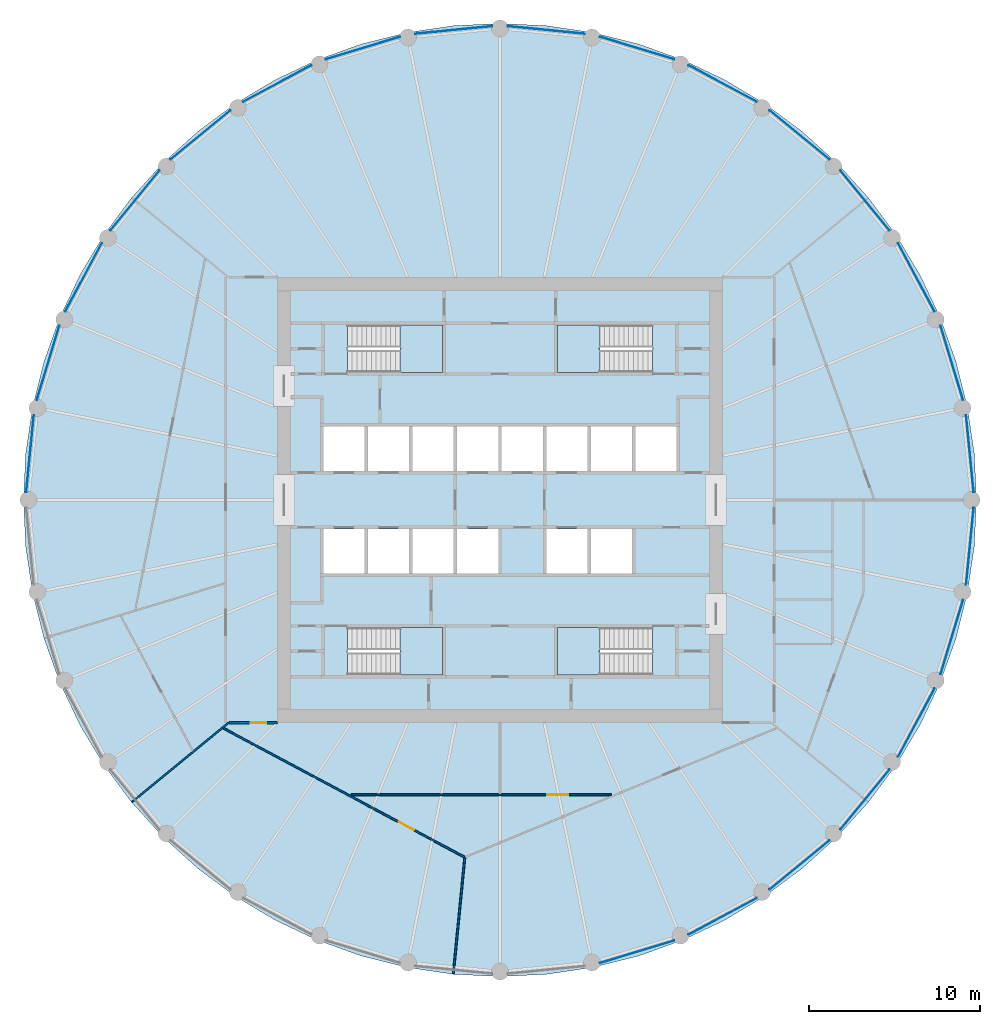
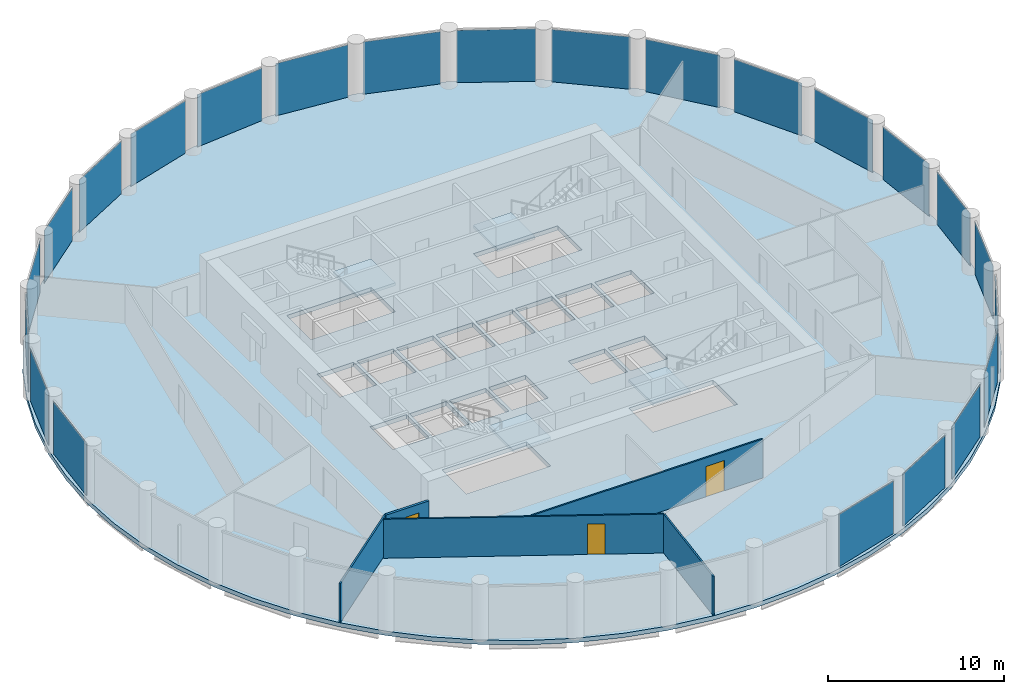
# One storey, part 3 of 8: 23 plates, 5 slabs, 5 walls, 3 doors, 3 openings, 27 elements without a shape of their own.
"""IFC4 building model written with IfcOpenShell, lengths in metres."""

from ifc_helpers import new_model, si_unit, direction, frame, frame_2d, origin, origin_2d, place, context, subcontext, project, spatial, polyline, rectangle, outline, extrude, material, layer, layer_set, type_object, element, fill, aggregate, save


model = new_model("IFC4")

# Units and contexts
model_context = context("Model", 3, precision=1e-05, world=origin(), true_north=direction((0.0, 1.0)))
body_context = subcontext(model_context, "Body", "Model", "MODEL_VIEW")
ifc_project = project(units=[si_unit("LENGTHUNIT", "METRE"), si_unit("AREAUNIT", "SQUARE_METRE"), si_unit("VOLUMEUNIT", "CUBIC_METRE"), si_unit("PLANEANGLEUNIT", "RADIAN"), si_unit("MASSUNIT", "GRAM", prefix="KILO")], contexts=[model_context])

# Site, building, storey
site_placement = place(None, origin())
site = spatial("IfcSite", under=ifc_project, at=site_placement, CompositionType="ELEMENT")
building_placement = place(site_placement, origin())
building = spatial("IfcBuilding", under=site, at=building_placement, Name="Corvane Civic Tower", CompositionType="ELEMENT")
storey_placement = place(building_placement, frame((0.0, 0.0, 209.5)))
storey = spatial("IfcBuildingStorey", under=building, at=storey_placement, Name="L49", CompositionType="ELEMENT", Elevation=209.5)

# Slab
ifc_material_1 = material(Name="Concrete C40/50", Category="concrete")
ifc_layer_1 = layer(ifc_material_1, 0.300048828125)
ifc_layer_set_1 = layer_set([ifc_layer_1], Name="Concrete C40/50")
slab_type_1 = type_object("IfcSlabType", Name="FLOOR SLAB 300", PredefinedType="FLOOR", material=ifc_layer_set_1)
slab_1_placement = place(storey_placement, frame((0.0, 0.0, -0.300048828125)))
element("IfcSlab", 1, at=slab_1_placement, inside=storey, type_object=slab_type_1, Name="SLB-L49", PredefinedType="FLOOR", context=body_context, shape_type="SweptSolid", body=[
    extrude(outline(polyline([(0.0, 27.800048828125), (-2.724853515625, 27.666015625), (-5.423583984375, 27.265869140625), (-8.06982421875, 26.60302734375), (-10.638671875, 25.683837890625), (-13.104736328125, 24.517333984375), (-15.44482421875, 23.11474609375), (-17.63623046875, 21.48974609375), (-19.657470703125, 19.657470703125), (-21.48974609375, 17.63623046875), (-23.11474609375, 15.44482421875), (-24.517333984375, 13.104736328125), (-25.683837890625, 10.638671875), (-26.60302734375, 8.06982421875), (-27.265869140625, 5.423583984375), (-27.666015625, 2.724853515625), (-27.800048828125, 0.0), (-27.666015625, -2.724853515625), (-27.265869140625, -5.423583984375), (-26.60302734375, -8.06982421875), (-25.683837890625, -10.638671875), (-24.517333984375, -13.104736328125), (-23.11474609375, -15.44482421875), (-21.48974609375, -17.63623046875), (-19.657470703125, -19.657470703125), (-17.63623046875, -21.48974609375), (-15.44482421875, -23.11474609375), (-13.104736328125, -24.517333984375), (-10.638671875, -25.683837890625), (-8.06982421875, -26.60302734375), (-5.423583984375, -27.265869140625), (-2.724853515625, -27.666015625), (0.0, -27.800048828125), (2.724853515625, -27.666015625), (5.423583984375, -27.265869140625), (8.06982421875, -26.60302734375), (10.638671875, -25.683837890625), (13.104736328125, -24.517333984375), (15.44482421875, -23.11474609375), (17.63623046875, -21.48974609375), (19.657470703125, -19.657470703125), (21.48974609375, -17.63623046875), (23.11474609375, -15.44482421875), (24.517333984375, -13.104736328125), (25.683837890625, -10.638671875), (26.60302734375, -8.06982421875), (27.265869140625, -5.423583984375), (27.666015625, -2.724853515625), (27.800048828125, 0.0), (27.666015625, 2.724853515625), (27.265869140625, 5.423583984375), (26.60302734375, 8.06982421875), (25.683837890625, 10.638671875), (24.517333984375, 13.104736328125), (23.11474609375, 15.44482421875), (21.48974609375, 17.63623046875), (19.657470703125, 19.657470703125), (17.63623046875, 21.48974609375), (15.44482421875, 23.11474609375), (13.104736328125, 24.517333984375), (10.638671875, 25.683837890625), (8.06982421875, 26.60302734375), (5.423583984375, 27.265869140625), (2.724853515625, 27.666015625), (0.0, 27.800048828125)]), holes=[polyline([(-10.300048828125, 4.300048828125), (-7.89990234375, 4.300048828125), (-7.89990234375, 1.699951171875), (-10.300048828125, 1.699951171875), (-10.300048828125, 4.300048828125)]), polyline([(-5.300048828125, 1.699951171875), (-7.699951171875, 1.699951171875), (-7.699951171875, 4.300048828125), (-5.300048828125, 4.300048828125), (-5.300048828125, 1.699951171875)]), polyline([(-5.10009765625, 4.300048828125), (-2.699951171875, 4.300048828125), (-2.699951171875, 1.699951171875), (-5.10009765625, 1.699951171875), (-5.10009765625, 4.300048828125)]), polyline([(-0.10009765625, 4.300048828125), (-0.10009765625, 1.699951171875), (-2.5, 1.699951171875), (-2.5, 4.300048828125), (-0.10009765625, 4.300048828125)]), polyline([(2.5, 4.300048828125), (2.5, 1.699951171875), (0.10009765625, 1.699951171875), (0.10009765625, 4.300048828125), (2.5, 4.300048828125)]), polyline([(2.699951171875, 4.300048828125), (5.10009765625, 4.300048828125), (5.10009765625, 1.699951171875), (2.699951171875, 1.699951171875), (2.699951171875, 4.300048828125)]), polyline([(5.300048828125, 4.300048828125), (7.699951171875, 4.300048828125), (7.699951171875, 1.699951171875), (5.300048828125, 1.699951171875), (5.300048828125, 4.300048828125)]), polyline([(7.89990234375, 4.300048828125), (10.300048828125, 4.300048828125), (10.300048828125, 1.699951171875), (7.89990234375, 1.699951171875), (7.89990234375, 4.300048828125)]), polyline([(-7.89990234375, -1.699951171875), (-7.89990234375, -4.300048828125), (-10.300048828125, -4.300048828125), (-10.300048828125, -1.699951171875), (-7.89990234375, -1.699951171875)]), polyline([(-5.300048828125, -1.699951171875), (-5.300048828125, -4.300048828125), (-7.699951171875, -4.300048828125), (-7.699951171875, -1.699951171875), (-5.300048828125, -1.699951171875)]), polyline([(-5.10009765625, -4.300048828125), (-5.10009765625, -1.699951171875), (-2.699951171875, -1.699951171875), (-2.699951171875, -4.300048828125), (-5.10009765625, -4.300048828125)]), polyline([(-2.5, -1.699951171875), (-0.10009765625, -1.699951171875), (-0.10009765625, -4.300048828125), (-2.5, -4.300048828125), (-2.5, -1.699951171875)]), polyline([(5.10009765625, -1.699951171875), (5.10009765625, -4.300048828125), (2.699951171875, -4.300048828125), (2.699951171875, -1.699951171875), (5.10009765625, -1.699951171875)]), polyline([(7.699951171875, -1.699951171875), (7.699951171875, -4.300048828125), (5.300048828125, -4.300048828125), (5.300048828125, -1.699951171875), (7.699951171875, -1.699951171875)]), polyline([(8.889892578125, 10.199951171875), (8.889892578125, 7.449951171875), (3.35009765625, 7.449951171875), (3.35009765625, 10.199951171875), (8.889892578125, 10.199951171875)]), polyline([(-8.889892578125, 7.449951171875), (-8.889892578125, 10.199951171875), (-3.35009765625, 10.199951171875), (-3.35009765625, 7.449951171875), (-8.889892578125, 7.449951171875)]), polyline([(8.889892578125, -7.449951171875), (8.889892578125, -10.199951171875), (3.35009765625, -10.199951171875), (3.35009765625, -7.449951171875), (8.889892578125, -7.449951171875)]), polyline([(-8.889892578125, -10.199951171875), (-8.889892578125, -7.449951171875), (-3.35009765625, -7.449951171875), (-3.35009765625, -10.199951171875), (-8.889892578125, -10.199951171875)])]), origin(), (0.0, 0.0, 1.0), 0.300048828125),
])

# Stair, slab
ifc_material_2 = material(Name="Concrete C40/50", Category="concrete")
stair_type = type_object("IfcStairType", Name="ST-STAIR-HALFTURN", PredefinedType="HALF_TURN_STAIR", material=ifc_material_2)
stair_1_placement = place(storey_placement, origin())
stair_1 = element("IfcStair", 2, at=stair_1_placement, inside=storey, type_object=stair_type, Name="L49 Exit stair ST1", PredefinedType="HALF_TURN_STAIR")
ifc_material_3 = material(Name="Concrete C40/50", Category="concrete")
ifc_layer_2 = layer(ifc_material_3, 0.199951171875)
ifc_layer_set_2 = layer_set([ifc_layer_2], Name="Concrete C40/50")
slab_type_2 = type_object("IfcSlabType", Name="ST-LANDING-RC", PredefinedType="LANDING", material=ifc_layer_set_2)
slab_2_placement = place(storey_placement, frame((0.0, 0.0, 1.800048828125)))
slab_2 = element("IfcSlab", 3, at=slab_2_placement, type_object=slab_type_2, Name="ST1 landing 1", PredefinedType="LANDING", context=body_context, shape_type="SweptSolid", body=[
    extrude(outline(polyline([(5.820068359375, 10.199951171875), (3.35009765625, 10.199951171875), (3.35009765625, 7.449951171875), (5.820068359375, 7.449951171875), (5.820068359375, 10.199951171875)])), origin(), (0.0, 0.0, 1.0), 0.199951171875),
])
aggregate(stair_1, [slab_2])

stair_2_placement = place(storey_placement, origin())
stair_2 = element("IfcStair", 4, at=stair_2_placement, inside=storey, type_object=stair_type, Name="L49 Exit stair ST2", PredefinedType="HALF_TURN_STAIR")
slab_3_placement = place(storey_placement, frame((0.0, 0.0, 1.800048828125)))
slab_3 = element("IfcSlab", 5, at=slab_3_placement, type_object=slab_type_2, Name="ST2 landing 1", PredefinedType="LANDING", context=body_context, shape_type="SweptSolid", body=[
    extrude(outline(polyline([(5.820068359375, -7.449951171875), (3.35009765625, -7.449951171875), (3.35009765625, -10.199951171875), (5.820068359375, -10.199951171875), (5.820068359375, -7.449951171875)])), origin(), (0.0, 0.0, 1.0), 0.199951171875),
])
aggregate(stair_2, [slab_3])

stair_3_placement = place(storey_placement, origin())
stair_3 = element("IfcStair", 6, at=stair_3_placement, inside=storey, type_object=stair_type, Name="L49 Exit stair ST3", PredefinedType="HALF_TURN_STAIR")
slab_4_placement = place(storey_placement, frame((0.0, 0.0, 1.800048828125)))
slab_4 = element("IfcSlab", 7, at=slab_4_placement, type_object=slab_type_2, Name="ST3 landing 1", PredefinedType="LANDING", context=body_context, shape_type="SweptSolid", body=[
    extrude(outline(polyline([(-5.820068359375, -10.199951171875), (-3.35009765625, -10.199951171875), (-3.35009765625, -7.449951171875), (-5.820068359375, -7.449951171875), (-5.820068359375, -10.199951171875)])), origin(), (0.0, 0.0, 1.0), 0.199951171875),
])
aggregate(stair_3, [slab_4])

stair_4_placement = place(storey_placement, origin())
stair_4 = element("IfcStair", 8, at=stair_4_placement, inside=storey, type_object=stair_type, Name="L49 Exit stair ST4", PredefinedType="HALF_TURN_STAIR")
slab_5_placement = place(storey_placement, frame((0.0, 0.0, 1.800048828125)))
slab_5 = element("IfcSlab", 9, at=slab_5_placement, type_object=slab_type_2, Name="ST4 landing 1", PredefinedType="LANDING", context=body_context, shape_type="SweptSolid", body=[
    extrude(outline(polyline([(-5.820068359375, 7.449951171875), (-3.35009765625, 7.449951171875), (-3.35009765625, 10.199951171875), (-5.820068359375, 10.199951171875), (-5.820068359375, 7.449951171875)])), origin(), (0.0, 0.0, 1.0), 0.199951171875),
])
aggregate(stair_4, [slab_5])

# Curtain wall, plate
ifc_material_4 = material(Name="Anodised aluminium bronze", Category="aluminium")
curtain_wall_type = type_object("IfcCurtainWallType", Name="TOWER CW-T2 STICK CURTAIN WALL", PredefinedType="NOTDEFINED", material=ifc_material_4)
curtain_wall_1_placement = place(storey_placement, origin())
curtain_wall_1 = element("IfcCurtainWall", 10, at=curtain_wall_1_placement, inside=storey, type_object=curtain_wall_type, Name="Curtain wall CW-T2 L49 bay 01", PredefinedType="NOTDEFINED")
ifc_material_5 = material(Name="Tinted glass", Category="glass")
ifc_layer_3 = layer(ifc_material_5, 0.031982421875)
ifc_layer_set_3 = layer_set([ifc_layer_3], Name="Tinted glass")
plate_type = type_object("IfcPlateType", Name="TOWER CW-T2 PANEL IGU32", PredefinedType="CURTAIN_PANEL", material=ifc_layer_set_3)
plate_1_placement = place(storey_placement, frame((2.699951171875, 27.4140625, 0.0), z_axis=(0.0, 0.0, 1.0), x_axis=(0.995187058378, -0.097993463235, 0.0)))
plate_1 = element("IfcPlate", 11, at=plate_1_placement, type_object=plate_type, Name="Glass panel CW-T2 L49 01.1", PredefinedType="CURTAIN_PANEL", context=body_context, shape_type="SweptSolid", body=[
    extrude(rectangle(XDim=4.517333984375, YDim=0.031982421875, at=origin_2d()), origin(), (0.0, 0.0, 1.0), 3.6298828125),
])
aggregate(curtain_wall_1, [plate_1])

curtain_wall_2_placement = place(storey_placement, origin())
curtain_wall_2 = element("IfcCurtainWall", 12, at=curtain_wall_2_placement, inside=storey, type_object=curtain_wall_type, Name="Curtain wall CW-T2 L49 bay 02", PredefinedType="NOTDEFINED")
plate_2_placement = place(storey_placement, frame((7.996337890625, 26.360595703125, 0.0), z_axis=(0.0, 0.0, 1.0), x_axis=(0.956938843612, -0.290289596069, 0.0)))
plate_2 = element("IfcPlate", 13, at=plate_2_placement, type_object=plate_type, Name="Glass panel CW-T2 L49 02.1", PredefinedType="CURTAIN_PANEL", context=body_context, shape_type="SweptSolid", body=[
    extrude(rectangle(XDim=4.517333984375, YDim=0.031982421875, at=origin_2d()), origin(), (0.0, 0.0, 1.0), 3.6298828125),
])
aggregate(curtain_wall_2, [plate_2])

curtain_wall_3_placement = place(storey_placement, origin())
curtain_wall_3 = element("IfcCurtainWall", 14, at=curtain_wall_3_placement, inside=storey, type_object=curtain_wall_type, Name="Curtain wall CW-T2 L49 bay 03", PredefinedType="NOTDEFINED")
plate_3_placement = place(storey_placement, frame((12.9853515625, 24.294189453125, 0.0), z_axis=(0.0, 0.0, 1.0), x_axis=(0.881920381001, -0.471398389449, 0.0)))
plate_3 = element("IfcPlate", 15, at=plate_3_placement, type_object=plate_type, Name="Glass panel CW-T2 L49 03.1", PredefinedType="CURTAIN_PANEL", context=body_context, shape_type="SweptSolid", body=[
    extrude(rectangle(XDim=4.517333984375, YDim=0.031982421875, at=origin_2d()), origin(), (0.0, 0.0, 1.0), 3.6298828125),
])
aggregate(curtain_wall_3, [plate_3])

curtain_wall_4_placement = place(storey_placement, origin())
curtain_wall_4 = element("IfcCurtainWall", 16, at=curtain_wall_4_placement, inside=storey, type_object=curtain_wall_type, Name="Curtain wall CW-T2 L49 bay 04", PredefinedType="NOTDEFINED")
plate_4_placement = place(storey_placement, frame((17.475341796875, 21.2939453125, 0.0), z_axis=(0.0, 0.0, 1.0), x_axis=(0.773012269331, -0.634391071394, 0.0)))
plate_4 = element("IfcPlate", 17, at=plate_4_placement, type_object=plate_type, Name="Glass panel CW-T2 L49 04.1", PredefinedType="CURTAIN_PANEL", context=body_context, shape_type="SweptSolid", body=[
    extrude(rectangle(XDim=4.517333984375, YDim=0.031982421875, at=origin_2d()), origin(), (0.0, 0.0, 1.0), 3.6298828125),
])
aggregate(curtain_wall_4, [plate_4])

curtain_wall_5_placement = place(storey_placement, origin())
curtain_wall_5 = element("IfcCurtainWall", 18, at=curtain_wall_5_placement, inside=storey, type_object=curtain_wall_type, Name="Curtain wall CW-T2 L49 bay 05", PredefinedType="NOTDEFINED")
plate_5_placement = place(storey_placement, frame((21.2939453125, 17.475341796875, 0.0), z_axis=(0.0, 0.0, 1.0), x_axis=(0.634391071394, -0.773012269331, 0.0)))
plate_5 = element("IfcPlate", 19, at=plate_5_placement, type_object=plate_type, Name="Glass panel CW-T2 L49 05.1", PredefinedType="CURTAIN_PANEL", context=body_context, shape_type="SweptSolid", body=[
    extrude(rectangle(XDim=4.517333984375, YDim=0.031982421875, at=origin_2d()), origin(), (0.0, 0.0, 1.0), 3.6298828125),
])
aggregate(curtain_wall_5, [plate_5])

curtain_wall_6_placement = place(storey_placement, origin())
curtain_wall_6 = element("IfcCurtainWall", 20, at=curtain_wall_6_placement, inside=storey, type_object=curtain_wall_type, Name="Curtain wall CW-T2 L49 bay 06", PredefinedType="NOTDEFINED")
plate_6_placement = place(storey_placement, frame((24.294189453125, 12.9853515625, 0.0), z_axis=(0.0, 0.0, 1.0), x_axis=(0.471398389449, -0.881920381001, 0.0)))
plate_6 = element("IfcPlate", 21, at=plate_6_placement, type_object=plate_type, Name="Glass panel CW-T2 L49 06.1", PredefinedType="CURTAIN_PANEL", context=body_context, shape_type="SweptSolid", body=[
    extrude(rectangle(XDim=4.517333984375, YDim=0.031982421875, at=origin_2d()), origin(), (0.0, 0.0, 1.0), 3.6298828125),
])
aggregate(curtain_wall_6, [plate_6])

curtain_wall_7_placement = place(storey_placement, origin())
curtain_wall_7 = element("IfcCurtainWall", 22, at=curtain_wall_7_placement, inside=storey, type_object=curtain_wall_type, Name="Curtain wall CW-T2 L49 bay 07", PredefinedType="NOTDEFINED")
plate_7_placement = place(storey_placement, frame((26.360595703125, 7.996337890625, 0.0), z_axis=(0.0, 0.0, 1.0), x_axis=(0.290289596069, -0.956938843612, 0.0)))
plate_7 = element("IfcPlate", 23, at=plate_7_placement, type_object=plate_type, Name="Glass panel CW-T2 L49 07.1", PredefinedType="CURTAIN_PANEL", context=body_context, shape_type="SweptSolid", body=[
    extrude(rectangle(XDim=4.517333984375, YDim=0.031982421875, at=origin_2d()), origin(), (0.0, 0.0, 1.0), 3.6298828125),
])
aggregate(curtain_wall_7, [plate_7])

curtain_wall_8_placement = place(storey_placement, origin())
curtain_wall_8 = element("IfcCurtainWall", 24, at=curtain_wall_8_placement, inside=storey, type_object=curtain_wall_type, Name="Curtain wall CW-T2 L49 bay 08", PredefinedType="NOTDEFINED")
plate_8_placement = place(storey_placement, frame((27.4140625, 2.699951171875, 0.0), z_axis=(0.0, 0.0, 1.0), x_axis=(0.097993463235, -0.995187058378, 0.0)))
plate_8 = element("IfcPlate", 25, at=plate_8_placement, type_object=plate_type, Name="Glass panel CW-T2 L49 08.1", PredefinedType="CURTAIN_PANEL", context=body_context, shape_type="SweptSolid", body=[
    extrude(rectangle(XDim=4.517333984375, YDim=0.031982421875, at=origin_2d()), origin(), (0.0, 0.0, 1.0), 3.6298828125),
])
aggregate(curtain_wall_8, [plate_8])

curtain_wall_9_placement = place(storey_placement, origin())
curtain_wall_9 = element("IfcCurtainWall", 26, at=curtain_wall_9_placement, inside=storey, type_object=curtain_wall_type, Name="Curtain wall CW-T2 L49 bay 09", PredefinedType="NOTDEFINED")
plate_9_placement = place(storey_placement, frame((27.4140625, -2.699951171875, 0.0), z_axis=(0.0, 0.0, 1.0), x_axis=(-0.097993463235, -0.995187058378, 0.0)))
plate_9 = element("IfcPlate", 27, at=plate_9_placement, type_object=plate_type, Name="Glass panel CW-T2 L49 09.1", PredefinedType="CURTAIN_PANEL", context=body_context, shape_type="SweptSolid", body=[
    extrude(rectangle(XDim=4.517333984375, YDim=0.031982421875, at=origin_2d()), origin(), (0.0, 0.0, 1.0), 3.6298828125),
])
aggregate(curtain_wall_9, [plate_9])

curtain_wall_10_placement = place(storey_placement, origin())
curtain_wall_10 = element("IfcCurtainWall", 28, at=curtain_wall_10_placement, inside=storey, type_object=curtain_wall_type, Name="Curtain wall CW-T2 L49 bay 10", PredefinedType="NOTDEFINED")
plate_10_placement = place(storey_placement, frame((26.360595703125, -7.996337890625, 0.0), z_axis=(0.0, 0.0, 1.0), x_axis=(-0.290289596069, -0.956938843612, 0.0)))
plate_10 = element("IfcPlate", 29, at=plate_10_placement, type_object=plate_type, Name="Glass panel CW-T2 L49 10.1", PredefinedType="CURTAIN_PANEL", context=body_context, shape_type="SweptSolid", body=[
    extrude(rectangle(XDim=4.517333984375, YDim=0.031982421875, at=origin_2d()), origin(), (0.0, 0.0, 1.0), 3.6298828125),
])
aggregate(curtain_wall_10, [plate_10])

curtain_wall_11_placement = place(storey_placement, origin())
curtain_wall_11 = element("IfcCurtainWall", 30, at=curtain_wall_11_placement, inside=storey, type_object=curtain_wall_type, Name="Curtain wall CW-T2 L49 bay 11", PredefinedType="NOTDEFINED")
plate_11_placement = place(storey_placement, frame((24.294189453125, -12.9853515625, 0.0), z_axis=(0.0, 0.0, 1.0), x_axis=(-0.471398389449, -0.881920381001, 0.0)))
plate_11 = element("IfcPlate", 31, at=plate_11_placement, type_object=plate_type, Name="Glass panel CW-T2 L49 11.1", PredefinedType="CURTAIN_PANEL", context=body_context, shape_type="SweptSolid", body=[
    extrude(rectangle(XDim=4.517333984375, YDim=0.031982421875, at=origin_2d()), origin(), (0.0, 0.0, 1.0), 3.6298828125),
])
aggregate(curtain_wall_11, [plate_11])

curtain_wall_12_placement = place(storey_placement, origin())
curtain_wall_12 = element("IfcCurtainWall", 32, at=curtain_wall_12_placement, inside=storey, type_object=curtain_wall_type, Name="Curtain wall CW-T2 L49 bay 12", PredefinedType="NOTDEFINED")
plate_12_placement = place(storey_placement, frame((21.2939453125, -17.475341796875, 0.0), z_axis=(0.0, 0.0, 1.0), x_axis=(-0.634391071394, -0.773012269331, 0.0)))
plate_12 = element("IfcPlate", 33, at=plate_12_placement, type_object=plate_type, Name="Glass panel CW-T2 L49 12.1", PredefinedType="CURTAIN_PANEL", context=body_context, shape_type="SweptSolid", body=[
    extrude(rectangle(XDim=4.517333984375, YDim=0.031982421875, at=origin_2d()), origin(), (0.0, 0.0, 1.0), 3.6298828125),
])
aggregate(curtain_wall_12, [plate_12])

curtain_wall_13_placement = place(storey_placement, origin())
curtain_wall_13 = element("IfcCurtainWall", 34, at=curtain_wall_13_placement, inside=storey, type_object=curtain_wall_type, Name="Curtain wall CW-T2 L49 bay 13", PredefinedType="NOTDEFINED")
plate_13_placement = place(storey_placement, frame((17.475341796875, -21.2939453125, 0.0), z_axis=(0.0, 0.0, 1.0), x_axis=(-0.773012269331, -0.634391071394, 0.0)))
plate_13 = element("IfcPlate", 35, at=plate_13_placement, type_object=plate_type, Name="Glass panel CW-T2 L49 13.1", PredefinedType="CURTAIN_PANEL", context=body_context, shape_type="SweptSolid", body=[
    extrude(rectangle(XDim=4.517333984375, YDim=0.031982421875, at=origin_2d()), origin(), (0.0, 0.0, 1.0), 3.6298828125),
])
aggregate(curtain_wall_13, [plate_13])

curtain_wall_14_placement = place(storey_placement, origin())
curtain_wall_14 = element("IfcCurtainWall", 36, at=curtain_wall_14_placement, inside=storey, type_object=curtain_wall_type, Name="Curtain wall CW-T2 L49 bay 14", PredefinedType="NOTDEFINED")
plate_14_placement = place(storey_placement, frame((12.9853515625, -24.294189453125, 0.0), z_axis=(0.0, 0.0, 1.0), x_axis=(-0.881920381001, -0.471398389449, 0.0)))
plate_14 = element("IfcPlate", 37, at=plate_14_placement, type_object=plate_type, Name="Glass panel CW-T2 L49 14.1", PredefinedType="CURTAIN_PANEL", context=body_context, shape_type="SweptSolid", body=[
    extrude(rectangle(XDim=4.517333984375, YDim=0.031982421875, at=origin_2d()), origin(), (0.0, 0.0, 1.0), 3.6298828125),
])
aggregate(curtain_wall_14, [plate_14])

curtain_wall_15_placement = place(storey_placement, origin())
curtain_wall_15 = element("IfcCurtainWall", 38, at=curtain_wall_15_placement, inside=storey, type_object=curtain_wall_type, Name="Curtain wall CW-T2 L49 bay 15", PredefinedType="NOTDEFINED")
plate_15_placement = place(storey_placement, frame((7.996337890625, -26.360595703125, 0.0), z_axis=(0.0, 0.0, 1.0), x_axis=(-0.956938843612, -0.290289596069, 0.0)))
plate_15 = element("IfcPlate", 39, at=plate_15_placement, type_object=plate_type, Name="Glass panel CW-T2 L49 15.1", PredefinedType="CURTAIN_PANEL", context=body_context, shape_type="SweptSolid", body=[
    extrude(rectangle(XDim=4.517333984375, YDim=0.031982421875, at=origin_2d()), origin(), (0.0, 0.0, 1.0), 3.6298828125),
])
aggregate(curtain_wall_15, [plate_15])

curtain_wall_16_placement = place(storey_placement, origin())
curtain_wall_16 = element("IfcCurtainWall", 40, at=curtain_wall_16_placement, inside=storey, type_object=curtain_wall_type, Name="Curtain wall CW-T2 L49 bay 25", PredefinedType="NOTDEFINED")
plate_16_placement = place(storey_placement, frame((-27.4140625, 2.699951171875, 0.0), z_axis=(0.0, 0.0, 1.0), x_axis=(0.097993463235, 0.995187058378, 0.0)))
plate_16 = element("IfcPlate", 41, at=plate_16_placement, type_object=plate_type, Name="Glass panel CW-T2 L49 25.1", PredefinedType="CURTAIN_PANEL", context=body_context, shape_type="SweptSolid", body=[
    extrude(rectangle(XDim=4.517333984375, YDim=0.031982421875, at=origin_2d()), origin(), (0.0, 0.0, 1.0), 3.6298828125),
])
aggregate(curtain_wall_16, [plate_16])

curtain_wall_17_placement = place(storey_placement, origin())
curtain_wall_17 = element("IfcCurtainWall", 42, at=curtain_wall_17_placement, inside=storey, type_object=curtain_wall_type, Name="Curtain wall CW-T2 L49 bay 26", PredefinedType="NOTDEFINED")
plate_17_placement = place(storey_placement, frame((-26.360595703125, 7.996337890625, 0.0), z_axis=(0.0, 0.0, 1.0), x_axis=(0.290289596069, 0.956938843612, 0.0)))
plate_17 = element("IfcPlate", 43, at=plate_17_placement, type_object=plate_type, Name="Glass panel CW-T2 L49 26.1", PredefinedType="CURTAIN_PANEL", context=body_context, shape_type="SweptSolid", body=[
    extrude(rectangle(XDim=4.517333984375, YDim=0.031982421875, at=origin_2d()), origin(), (0.0, 0.0, 1.0), 3.6298828125),
])
aggregate(curtain_wall_17, [plate_17])

curtain_wall_18_placement = place(storey_placement, origin())
curtain_wall_18 = element("IfcCurtainWall", 44, at=curtain_wall_18_placement, inside=storey, type_object=curtain_wall_type, Name="Curtain wall CW-T2 L49 bay 27", PredefinedType="NOTDEFINED")
plate_18_placement = place(storey_placement, frame((-24.294189453125, 12.9853515625, 0.0), z_axis=(0.0, 0.0, 1.0), x_axis=(0.471398389449, 0.881920381001, 0.0)))
plate_18 = element("IfcPlate", 45, at=plate_18_placement, type_object=plate_type, Name="Glass panel CW-T2 L49 27.1", PredefinedType="CURTAIN_PANEL", context=body_context, shape_type="SweptSolid", body=[
    extrude(rectangle(XDim=4.517333984375, YDim=0.031982421875, at=origin_2d()), origin(), (0.0, 0.0, 1.0), 3.6298828125),
])
aggregate(curtain_wall_18, [plate_18])

curtain_wall_19_placement = place(storey_placement, origin())
curtain_wall_19 = element("IfcCurtainWall", 46, at=curtain_wall_19_placement, inside=storey, type_object=curtain_wall_type, Name="Curtain wall CW-T2 L49 bay 28", PredefinedType="NOTDEFINED")
plate_19_placement = place(storey_placement, frame((-21.2939453125, 17.475341796875, 0.0), z_axis=(0.0, 0.0, 1.0), x_axis=(0.634391071394, 0.773012269331, 0.0)))
plate_19 = element("IfcPlate", 47, at=plate_19_placement, type_object=plate_type, Name="Glass panel CW-T2 L49 28.1", PredefinedType="CURTAIN_PANEL", context=body_context, shape_type="SweptSolid", body=[
    extrude(rectangle(XDim=4.517333984375, YDim=0.031982421875, at=origin_2d()), origin(), (0.0, 0.0, 1.0), 3.6298828125),
])
aggregate(curtain_wall_19, [plate_19])

curtain_wall_20_placement = place(storey_placement, origin())
curtain_wall_20 = element("IfcCurtainWall", 48, at=curtain_wall_20_placement, inside=storey, type_object=curtain_wall_type, Name="Curtain wall CW-T2 L49 bay 29", PredefinedType="NOTDEFINED")
plate_20_placement = place(storey_placement, frame((-17.475341796875, 21.2939453125, 0.0), z_axis=(0.0, 0.0, 1.0), x_axis=(0.773012269331, 0.634391071394, 0.0)))
plate_20 = element("IfcPlate", 49, at=plate_20_placement, type_object=plate_type, Name="Glass panel CW-T2 L49 29.1", PredefinedType="CURTAIN_PANEL", context=body_context, shape_type="SweptSolid", body=[
    extrude(rectangle(XDim=4.517333984375, YDim=0.031982421875, at=origin_2d()), origin(), (0.0, 0.0, 1.0), 3.6298828125),
])
aggregate(curtain_wall_20, [plate_20])

curtain_wall_21_placement = place(storey_placement, origin())
curtain_wall_21 = element("IfcCurtainWall", 50, at=curtain_wall_21_placement, inside=storey, type_object=curtain_wall_type, Name="Curtain wall CW-T2 L49 bay 30", PredefinedType="NOTDEFINED")
plate_21_placement = place(storey_placement, frame((-12.9853515625, 24.294189453125, 0.0), z_axis=(0.0, 0.0, 1.0), x_axis=(0.881920381001, 0.471398389449, 0.0)))
plate_21 = element("IfcPlate", 51, at=plate_21_placement, type_object=plate_type, Name="Glass panel CW-T2 L49 30.1", PredefinedType="CURTAIN_PANEL", context=body_context, shape_type="SweptSolid", body=[
    extrude(rectangle(XDim=4.517333984375, YDim=0.031982421875, at=origin_2d()), origin(), (0.0, 0.0, 1.0), 3.6298828125),
])
aggregate(curtain_wall_21, [plate_21])

curtain_wall_22_placement = place(storey_placement, origin())
curtain_wall_22 = element("IfcCurtainWall", 52, at=curtain_wall_22_placement, inside=storey, type_object=curtain_wall_type, Name="Curtain wall CW-T2 L49 bay 31", PredefinedType="NOTDEFINED")
plate_22_placement = place(storey_placement, frame((-7.996337890625, 26.360595703125, 0.0), z_axis=(0.0, 0.0, 1.0), x_axis=(0.956938843612, 0.290289596069, 0.0)))
plate_22 = element("IfcPlate", 53, at=plate_22_placement, type_object=plate_type, Name="Glass panel CW-T2 L49 31.1", PredefinedType="CURTAIN_PANEL", context=body_context, shape_type="SweptSolid", body=[
    extrude(rectangle(XDim=4.517333984375, YDim=0.031982421875, at=origin_2d()), origin(), (0.0, 0.0, 1.0), 3.6298828125),
])
aggregate(curtain_wall_22, [plate_22])

curtain_wall_23_placement = place(storey_placement, origin())
curtain_wall_23 = element("IfcCurtainWall", 54, at=curtain_wall_23_placement, inside=storey, type_object=curtain_wall_type, Name="Curtain wall CW-T2 L49 bay 32", PredefinedType="NOTDEFINED")
plate_23_placement = place(storey_placement, frame((-2.699951171875, 27.4140625, 0.0), z_axis=(0.0, 0.0, 1.0), x_axis=(0.995187058378, 0.097993463235, 0.0)))
plate_23 = element("IfcPlate", 55, at=plate_23_placement, type_object=plate_type, Name="Glass panel CW-T2 L49 32.1", PredefinedType="CURTAIN_PANEL", context=body_context, shape_type="SweptSolid", body=[
    extrude(rectangle(XDim=4.517333984375, YDim=0.031982421875, at=origin_2d()), origin(), (0.0, 0.0, 1.0), 3.6298828125),
])
aggregate(curtain_wall_23, [plate_23])

# Wall
ifc_material_6 = material(Name="Plasterboard")
ifc_layer_4 = layer(ifc_material_6, 0.10009765625)
ifc_layer_set_4 = layer_set([ifc_layer_4], Name="Plasterboard")
wall_type_1 = type_object("IfcWallType", Name="Partition 100 plasterboard on studs", PredefinedType="PARTITIONING", material=ifc_layer_set_4)
wall_1_placement = place(storey_placement, frame((-2.719970703125, -27.616455078125, 0.0), z_axis=(0.0, 0.0, 1.0), x_axis=(0.09802284728, 0.99518416457, 0.0)))
element("IfcWall", 56, at=wall_1_placement, inside=storey, type_object=wall_type_1, Name="Partition L49.001", PredefinedType="PARTITIONING", context=body_context, shape_type="SweptSolid", body=[
    extrude(rectangle(XDim=6.774658203125, YDim=0.10009765625, at=frame_2d((3.38720703125, 0.0))), origin(), (0.0, 0.0, 1.0), 2.699951171875),
])

# Wall, opening, door
wall_2_placement = place(storey_placement, frame((-16.122314453125, -13.32080078125, 0.0), z_axis=(0.0, 0.0, 1.0), x_axis=(0.881922545284, -0.471394340355, 0.0)))
wall_2 = element("IfcWall", 57, at=wall_2_placement, inside=storey, type_object=wall_type_1, Name="Partition L49.002", PredefinedType="PARTITIONING", context=body_context, shape_type="SweptSolid", body=[
    extrude(rectangle(XDim=15.920166015625, YDim=0.10009765625, at=frame_2d((7.9599609375, 0.0))), origin(), (0.0, 0.0, 1.0), 2.699951171875),
])
opening_1_placement = place(wall_2_placement, frame((11.59130859375, 0.0, 0.0)))
opening_1 = element("IfcOpeningElement", 58, at=opening_1_placement, cuts=wall_2, Name="Opening L49.003", PredefinedType="OPENING", context=body_context, shape_type="SweptSolid", body=[
    extrude(rectangle(XDim=1.0, YDim=2.10009765625, at=frame_2d((0.5, 1.050048828125))), frame((0.0, 0.06005859375, 0.0), z_axis=(0.0, -1.0, 0.0), x_axis=(1.0, 0.0, 0.0)), (0.0, 0.0, 1.0), 0.1201171875),
])
ifc_material_7 = material(Name="Timber", Category="wood")
door_type_1 = type_object("IfcDoorType", Name="Single door 1000", OperationType="NOTDEFINED", PredefinedType="DOOR", material=ifc_material_7)
door_1_placement = place(opening_1_placement, frame((1.0, 0.0, 0.0), z_axis=(0.0, 0.0, 1.0), x_axis=(-1.0, 0.0, 0.0)))
door_1 = element("IfcDoor", 59, at=door_1_placement, inside=storey, type_object=door_type_1, Name="Door L49.003", OperationType="SINGLE_SWING_LEFT", OverallHeight=2.10009765625, OverallWidth=1.0, PredefinedType="DOOR", context=body_context, shape_type="SweptSolid", body=[
    extrude(rectangle(XDim=1.0, YDim=2.10009765625, at=frame_2d((0.5, 1.050048828125))), frame((0.0, 0.02490234375, 0.0), z_axis=(0.0, -1.0, 0.0), x_axis=(1.0, 0.0, 0.0)), (0.0, 0.0, 1.0), 0.050048828125),
])
fill(opening_1, door_1)

# Wall
wall_3_placement = place(storey_placement, frame((-21.451171875, -17.6044921875, 0.0), z_axis=(0.0, 0.0, 1.0), x_axis=(0.772997895748, 0.634408585352, 0.0)))
element("IfcWall", 60, at=wall_3_placement, inside=storey, type_object=wall_type_1, Name="Partition L49.004", PredefinedType="PARTITIONING", context=body_context, shape_type="SweptSolid", body=[
    extrude(rectangle(XDim=7.240234375, YDim=0.10009765625, at=frame_2d((3.6201171875, 0.0))), origin(), (0.0, 0.0, 1.0), 2.699951171875),
])

# Wall, opening, door
wall_4_placement = place(storey_placement, frame((-8.6650390625, -17.199951171875, 0.0), z_axis=(0.0, 0.0, 1.0), x_axis=(1.0, 0.0, 0.0)))
wall_4 = element("IfcWall", 61, at=wall_4_placement, inside=storey, type_object=wall_type_1, Name="Partition L49.006", PredefinedType="PARTITIONING", context=body_context, shape_type="SweptSolid", body=[
    extrude(rectangle(XDim=15.1513671875, YDim=0.10009765625, at=frame_2d((7.57568359375, 0.0))), origin(), (0.0, 0.0, 1.0), 2.699951171875),
])
opening_2_placement = place(wall_4_placement, frame((11.43408203125, 0.0, 0.0)))
opening_2 = element("IfcOpeningElement", 62, at=opening_2_placement, cuts=wall_4, Name="Opening L49.004", PredefinedType="OPENING", context=body_context, shape_type="SweptSolid", body=[
    extrude(rectangle(XDim=1.199951171875, YDim=2.10009765625, at=frame_2d((0.60009765625, 1.050048828125))), frame((0.0, 0.06005859375, 0.0), z_axis=(0.0, -1.0, 0.0), x_axis=(1.0, 0.0, 0.0)), (0.0, 0.0, 1.0), 0.1201171875),
])
ifc_material_8 = material(Name="Timber", Category="wood")
door_type_2 = type_object("IfcDoorType", Name="Double door 1200", OperationType="NOTDEFINED", PredefinedType="DOOR", material=ifc_material_8)
door_2_placement = place(opening_2_placement, frame((1.199951171875, 0.0, 0.0), z_axis=(0.0, 0.0, 1.0), x_axis=(-1.0, 0.0, 0.0)))
door_2 = element("IfcDoor", 63, at=door_2_placement, inside=storey, type_object=door_type_2, Name="Door L49.004", OperationType="DOUBLE_DOOR_SINGLE_SWING", OverallHeight=2.10009765625, OverallWidth=1.199951171875, PredefinedType="DOOR", context=body_context, shape_type="SweptSolid", body=[
    extrude(rectangle(XDim=1.199951171875, YDim=2.10009765625, at=frame_2d((0.60009765625, 1.050048828125))), frame((0.0, 0.02490234375, 0.0), z_axis=(0.0, -1.0, 0.0), x_axis=(1.0, 0.0, 0.0)), (0.0, 0.0, 1.0), 0.050048828125),
])
fill(opening_2, door_2)

ifc_material_9 = material(Name="Plasterboard")
ifc_layer_5 = layer(ifc_material_9, 0.14990234375)
ifc_layer_set_5 = layer_set([ifc_layer_5], Name="Plasterboard")
wall_type_2 = type_object("IfcWallType", Name="Tenancy wall 150 EI 60", PredefinedType="PARTITIONING", material=ifc_layer_set_5)
wall_5_placement = place(storey_placement, frame((-15.813720703125, -13.0, 0.0), z_axis=(0.0, 0.0, 1.0), x_axis=(1.0, 0.0, 0.0)))
wall_5 = element("IfcWall", 64, at=wall_5_placement, inside=storey, type_object=wall_type_2, Name="Partition L49.011", PredefinedType="PARTITIONING", context=body_context, shape_type="SweptSolid", body=[
    extrude(rectangle(XDim=2.82373046875, YDim=0.14990234375, at=frame_2d((1.411865234375, 0.0))), origin(), (0.0, 0.0, 1.0), 2.699951171875),
])
opening_3_placement = place(wall_5_placement, frame((1.274658203125, 0.0, 0.0)))
opening_3 = element("IfcOpeningElement", 65, at=opening_3_placement, cuts=wall_5, Name="Opening L49.006", PredefinedType="OPENING", context=body_context, shape_type="SweptSolid", body=[
    extrude(rectangle(XDim=0.89990234375, YDim=2.10009765625, at=frame_2d((0.449951171875, 1.050048828125))), frame((0.0, 0.0849609375, 0.0), z_axis=(0.0, -1.0, 0.0), x_axis=(1.0, 0.0, 0.0)), (0.0, 0.0, 1.0), 0.169921875),
])
ifc_material_10 = material(Name="Steel and timber", Category="steel")
door_type_3 = type_object("IfcDoorType", Name="Fire door FD30S 900", OperationType="NOTDEFINED", PredefinedType="DOOR", material=ifc_material_10)
door_3_placement = place(opening_3_placement, frame((0.89990234375, 0.0, 0.0), z_axis=(0.0, 0.0, 1.0), x_axis=(-1.0, 0.0, 0.0)))
door_3 = element("IfcDoor", 66, at=door_3_placement, inside=storey, type_object=door_type_3, Name="Door L49.006", OperationType="SINGLE_SWING_LEFT", OverallHeight=2.10009765625, OverallWidth=0.89990234375, PredefinedType="DOOR", context=body_context, shape_type="SweptSolid", body=[
    extrude(rectangle(XDim=0.89990234375, YDim=2.10009765625, at=frame_2d((0.449951171875, 1.050048828125))), frame((0.0, 0.02490234375, 0.0), z_axis=(0.0, -1.0, 0.0), x_axis=(1.0, 0.0, 0.0)), (0.0, 0.0, 1.0), 0.050048828125),
])
fill(opening_3, door_3)

save(model, "model.ifc")
